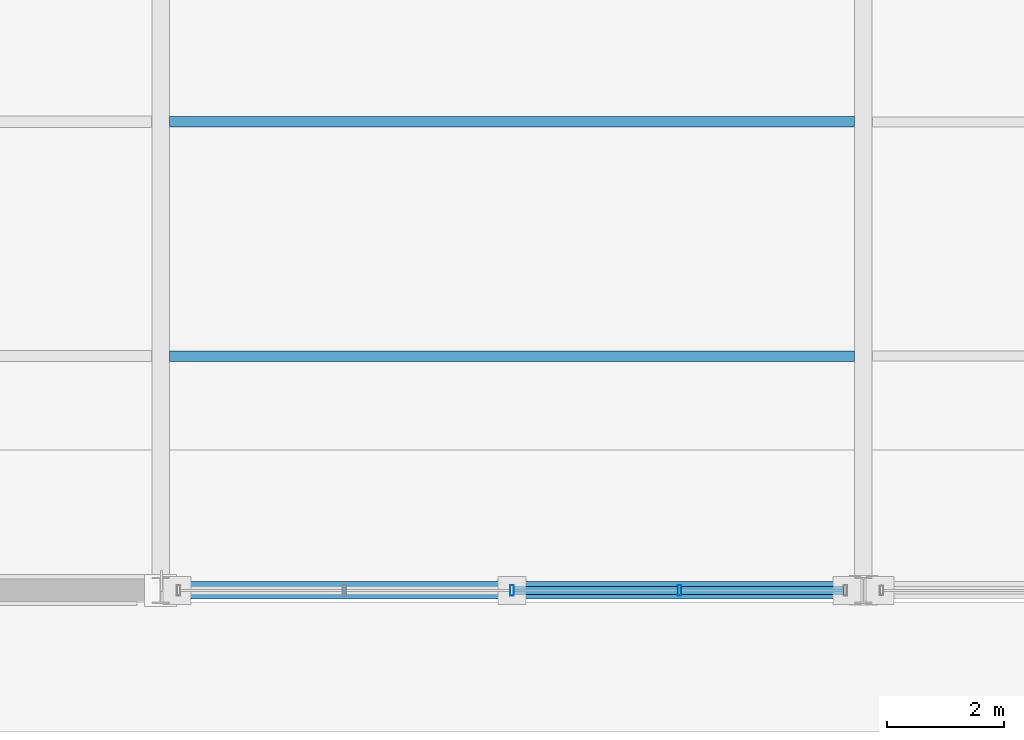
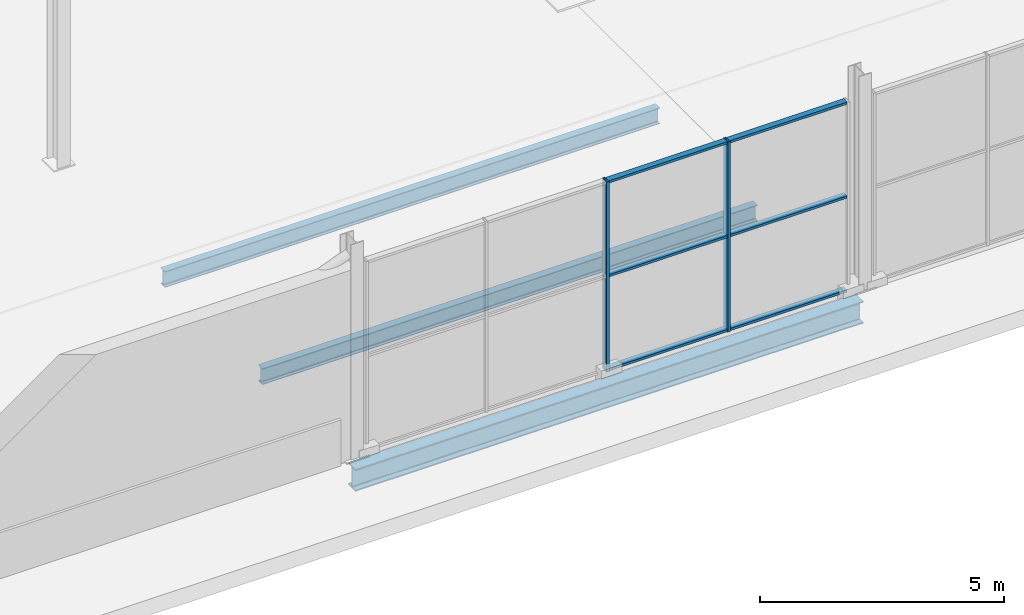
# One storey, part 67 of 196: 8 members, 3 beams, 1 element without a shape of its own.
"""IFC4 building model written with IfcOpenShell, lengths in metres."""

from ifc_helpers import new_model, si_unit, direction, frame, origin, origin_2d, place, context, subcontext, project, spatial, hollow_rectangle, i_section, extrude, material, material_profile, profile_set, type_object, element, aggregate, save


model = new_model("IFC4")

# Units and contexts
model_context = context("Model", 3, precision=1e-05, world=origin(), true_north=direction((0.0, 1.0)))
body_context = subcontext(model_context, "Body", "Model", "MODEL_VIEW")
ifc_project = project(units=[si_unit("LENGTHUNIT", "METRE"), si_unit("AREAUNIT", "SQUARE_METRE"), si_unit("VOLUMEUNIT", "CUBIC_METRE"), si_unit("PLANEANGLEUNIT", "RADIAN"), si_unit("MASSUNIT", "GRAM", prefix="KILO")], contexts=[model_context])

# Site, building, storey
site_placement = place(None, origin())
site = spatial("IfcSite", under=ifc_project, at=site_placement, CompositionType="ELEMENT")
building_placement = place(site_placement, origin())
building = spatial("IfcBuilding", under=site, at=building_placement, Name="Merenkruunu Market Hall", CompositionType="ELEMENT")
storey_placement = place(building_placement, origin())
storey = spatial("IfcBuildingStorey", under=building, at=storey_placement, Name="L00", CompositionType="ELEMENT", Elevation=0.0)

# Curtain wall, members
ifc_material_1 = material(Name="Powder-coated aluminium", Category="aluminium")
curtain_wall_type = type_object("IfcCurtainWallType", Name="Glazed Curtain Wall CW04", PredefinedType="USERDEFINED", material=ifc_material_1)
curtain_wall_placement = place(storey_placement, origin())
curtain_wall = element("IfcCurtainWall", 1, at=curtain_wall_placement, inside=storey, type_object=curtain_wall_type, Name="CW-L00-CWM02-186", ObjectType="GLAZED_FACADE", PredefinedType="USERDEFINED")
ifc_material_profile_1 = material_profile(ifc_material_1, hollow_rectangle(XDim=0.06005859375, YDim=0.179931640625, WallThickness=0.00390625, at=origin_2d()), Name="ALU 60x180x4")
ifc_profile_set_1 = profile_set([ifc_material_profile_1], Name="Powder-coated aluminium")
member_type_1 = type_object("IfcMemberType", Name="Curtain Wall Mullion CWM02", PredefinedType="MULLION", material=ifc_profile_set_1)
member_1_placement = place(storey_placement, frame((109.659912109375, 15.60009765625, 0.0), z_axis=(0.0, 0.0, 1.0), x_axis=(-1.0, 0.0, 0.0)))
member_1 = element("IfcMember", 2, at=member_1_placement, type_object=member_type_1, Name="CW04 mullion 2", PredefinedType="MULLION", context=body_context, shape_type="SweptSolid", body=[
    extrude(hollow_rectangle(XDim=0.06005859375, YDim=0.179931640625, WallThickness=0.00390625, at=origin_2d()), origin(), (0.0, 0.0, 1.0), 4.75),
])
member_2_placement = place(storey_placement, frame((106.800048828125, 15.60009765625, 0.0), z_axis=(0.0, 0.0, 1.0), x_axis=(-1.0, 0.0, 0.0)))
member_2 = element("IfcMember", 3, at=member_2_placement, type_object=member_type_1, Name="CW04 mullion 3", PredefinedType="MULLION", context=body_context, shape_type="SweptSolid", body=[
    extrude(hollow_rectangle(XDim=0.06005859375, YDim=0.179931640625, WallThickness=0.00390625, at=origin_2d()), origin(), (0.0, 0.0, 1.0), 4.75),
])
ifc_material_profile_2 = material_profile(ifc_material_1, hollow_rectangle(XDim=0.06005859375, YDim=0.139892578125, WallThickness=0.00390625, at=origin_2d()), Name="ALU 60x140x4")
ifc_profile_set_2 = profile_set([ifc_material_profile_2], Name="Powder-coated aluminium")
member_type_2 = type_object("IfcMemberType", Name="Curtain Wall Transom CWT02", PredefinedType="USERDEFINED", material=ifc_profile_set_2)
member_3_placement = place(storey_placement, frame((112.4599609375, 15.60009765625, 0.030029296875), z_axis=(-1.0, 0.0, 0.0), x_axis=(0.0, 0.0, 1.0)))
member_3 = element("IfcMember", 4, at=member_3_placement, type_object=member_type_2, Name="CW04 transom 1.1", ObjectType="TRANSOM", PredefinedType="USERDEFINED", context=body_context, shape_type="SweptSolid", body=[
    extrude(hollow_rectangle(XDim=0.06005859375, YDim=0.139892578125, WallThickness=0.00390625, at=origin_2d()), origin(), (0.0, 0.0, 1.0), 2.77001953125),
])
member_4_placement = place(storey_placement, frame((112.4599609375, 15.60009765625, 2.375), z_axis=(-1.0, 0.0, 0.0), x_axis=(0.0, 0.0, 1.0)))
member_4 = element("IfcMember", 5, at=member_4_placement, type_object=member_type_2, Name="CW04 transom 1.2", ObjectType="TRANSOM", PredefinedType="USERDEFINED", context=body_context, shape_type="SweptSolid", body=[
    extrude(hollow_rectangle(XDim=0.06005859375, YDim=0.139892578125, WallThickness=0.00390625, at=origin_2d()), origin(), (0.0, 0.0, 1.0), 2.77001953125),
])
member_5_placement = place(storey_placement, frame((112.4599609375, 15.60009765625, 4.719970703125), z_axis=(-1.0, 0.0, 0.0), x_axis=(0.0, 0.0, 1.0)))
member_5 = element("IfcMember", 6, at=member_5_placement, type_object=member_type_2, Name="CW04 transom 1.3", ObjectType="TRANSOM", PredefinedType="USERDEFINED", context=body_context, shape_type="SweptSolid", body=[
    extrude(hollow_rectangle(XDim=0.06005859375, YDim=0.139892578125, WallThickness=0.00390625, at=origin_2d()), origin(), (0.0, 0.0, 1.0), 2.77001953125),
])
member_6_placement = place(storey_placement, frame((109.6298828125, 15.60009765625, 0.030029296875), z_axis=(-1.0, 0.0, 0.0), x_axis=(0.0, 0.0, 1.0)))
member_6 = element("IfcMember", 7, at=member_6_placement, type_object=member_type_2, Name="CW04 transom 2.1", ObjectType="TRANSOM", PredefinedType="USERDEFINED", context=body_context, shape_type="SweptSolid", body=[
    extrude(hollow_rectangle(XDim=0.06005859375, YDim=0.139892578125, WallThickness=0.00390625, at=origin_2d()), origin(), (0.0, 0.0, 1.0), 2.7998046875),
])
member_7_placement = place(storey_placement, frame((109.6298828125, 15.60009765625, 2.375), z_axis=(-1.0, 0.0, 0.0), x_axis=(0.0, 0.0, 1.0)))
member_7 = element("IfcMember", 8, at=member_7_placement, type_object=member_type_2, Name="CW04 transom 2.2", ObjectType="TRANSOM", PredefinedType="USERDEFINED", context=body_context, shape_type="SweptSolid", body=[
    extrude(hollow_rectangle(XDim=0.06005859375, YDim=0.139892578125, WallThickness=0.00390625, at=origin_2d()), origin(), (0.0, 0.0, 1.0), 2.7998046875),
])
member_8_placement = place(storey_placement, frame((109.6298828125, 15.60009765625, 4.719970703125), z_axis=(-1.0, 0.0, 0.0), x_axis=(0.0, 0.0, 1.0)))
member_8 = element("IfcMember", 9, at=member_8_placement, type_object=member_type_2, Name="CW04 transom 2.3", ObjectType="TRANSOM", PredefinedType="USERDEFINED", context=body_context, shape_type="SweptSolid", body=[
    extrude(hollow_rectangle(XDim=0.06005859375, YDim=0.139892578125, WallThickness=0.00390625, at=origin_2d()), origin(), (0.0, 0.0, 1.0), 2.7998046875),
])
aggregate(curtain_wall, [member_1, member_2, member_3, member_4, member_5, member_6, member_7, member_8])

# Beams
ifc_material_2 = material(Name="Steel S355J2", Category="steel")
ifc_material_profile_3 = material_profile(ifc_material_2, i_section(OverallWidth=0.300048828125, OverallDepth=0.550048828125, WebThickness=0.014892578125, FlangeThickness=0.029052734375, FilletRadius=0.027099609375, at=origin_2d()), Name="HEB 550")
ifc_profile_set_3 = profile_set([ifc_material_profile_3], Name="Steel S355J2")
beam_type_1 = type_object("IfcBeamType", Name="Primary Floor Girder B02", PredefinedType="BEAM", material=ifc_profile_set_3)
beam_placement = place(storey_placement, frame((100.800048828125, 15.60009765625, -0.574951171875), z_axis=(1.0, 0.0, 0.0), x_axis=(0.0, 1.0, 0.0)))
element("IfcBeam", 10, at=beam_placement, inside=storey, type_object=beam_type_1, Name="BM-L00-B02-0019", PredefinedType="BEAM", context=body_context, shape_type="SweptSolid", body=[
    extrude(i_section(OverallWidth=0.300048828125, OverallDepth=0.550048828125, WebThickness=0.014892578125, FlangeThickness=0.029052734375, FilletRadius=0.027099609375, at=origin_2d()), origin(), (0.0, 0.0, 1.0), 12.0),
])
ifc_material_profile_4 = material_profile(ifc_material_2, i_section(OverallWidth=0.179931640625, OverallDepth=0.39990234375, WebThickness=0.008544921875, FlangeThickness=0.013427734375, FilletRadius=0.02099609375, at=origin_2d()), Name="IPE 400")
ifc_profile_set_4 = profile_set([ifc_material_profile_4], Name="Steel S355J2")
beam_type_2 = type_object("IfcBeamType", Name="Secondary Floor Joist J02", PredefinedType="JOIST", material=ifc_profile_set_4)
for number, where, z_axis, x_axis, name in (
    (11, (100.952880859375, 19.60009765625, -0.5), (1.0, 0.0, 0.0), (0.0, 1.0, 0.0), "BM-L00-J02-0386"),
    (12, (100.952880859375, 23.60009765625, -0.5), (1.0, 0.0, 0.0), (0.0, 1.0, 0.0), "BM-L00-J02-0387"),
):
    element("IfcBeam", number, at=place(storey_placement, frame(where, z_axis=z_axis, x_axis=x_axis)), inside=storey, type_object=beam_type_2, Name=name, PredefinedType="JOIST", context=body_context, shape_type="SweptSolid", body=[
        extrude(i_section(OverallWidth=0.179931640625, OverallDepth=0.39990234375, WebThickness=0.008544921875, FlangeThickness=0.013427734375, FilletRadius=0.02099609375, at=origin_2d()), origin(), (0.0, 0.0, 1.0), 11.694091796875),
    ])

save(model, "model.ifc")
